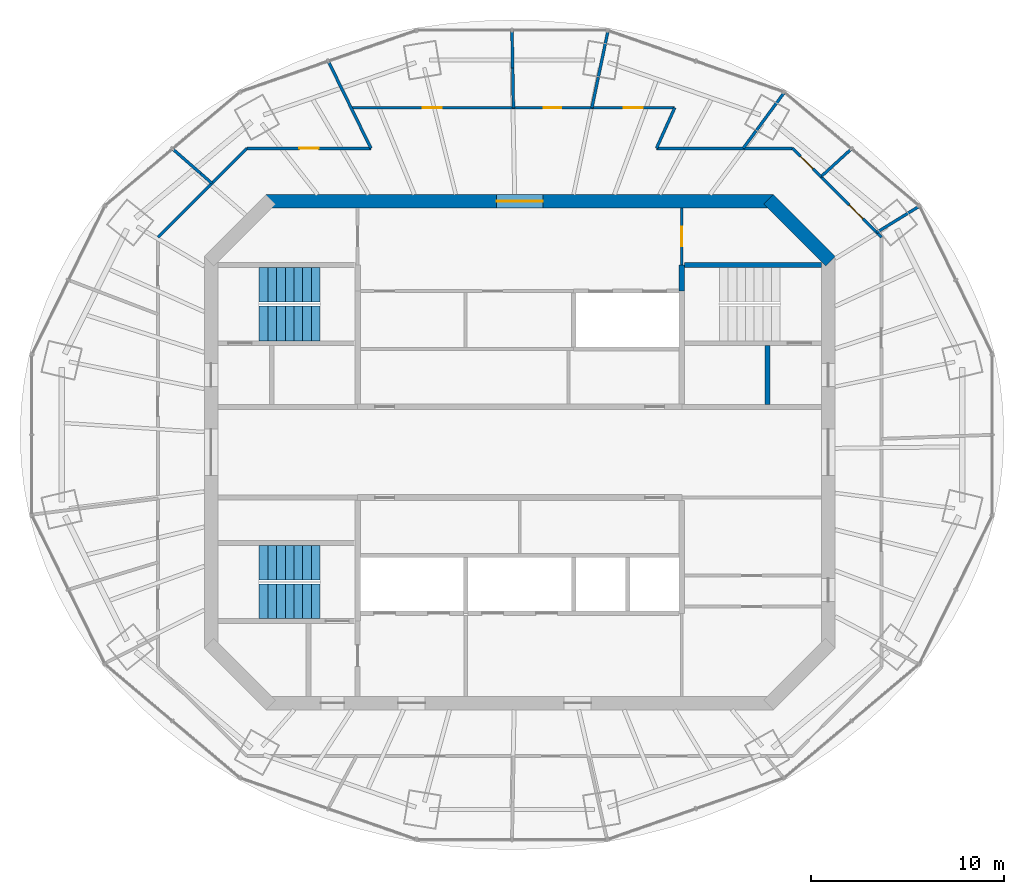
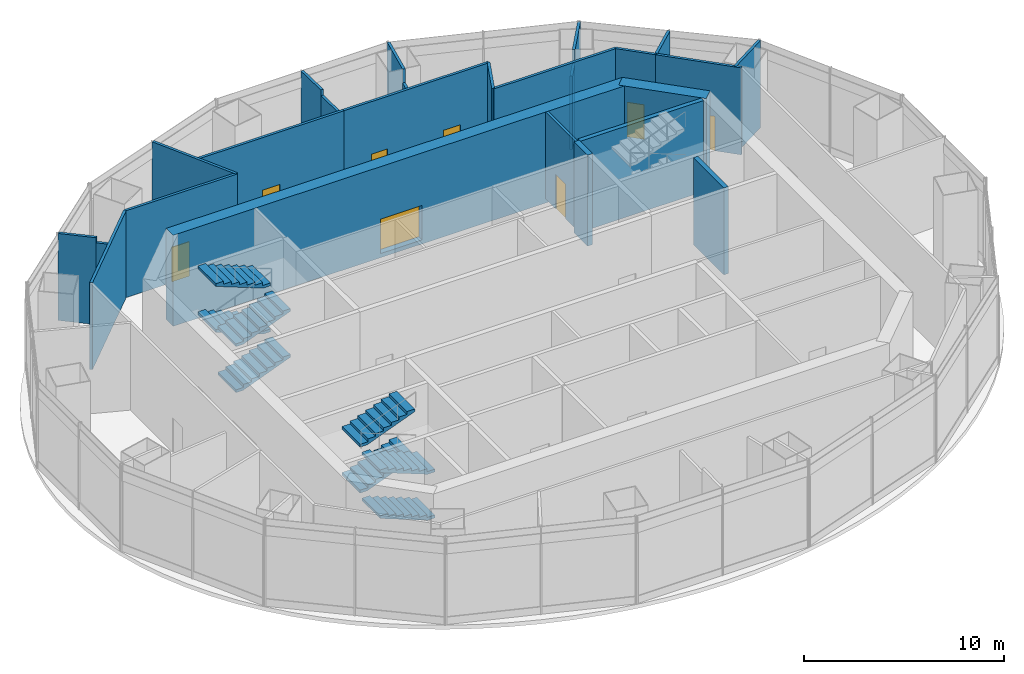
# One storey, part 11 of 13: 25 walls, 8 doors, 8 stair flights, 8 openings, 2 elements without a shape of their own.
"""IFC4 building model written with IfcOpenShell, lengths in metres."""

from ifc_helpers import new_model, si_unit, direction, frame, frame_2d, origin, place, context, subcontext, project, spatial, polyline, rectangle, outline, extrude, material, layer, layer_set, type_object, element, fill, aggregate, save


model = new_model("IFC4")

# Units and contexts
model_context = context("Model", 3, precision=1e-05, world=origin(), true_north=direction((0.0, 1.0)))
body_context = subcontext(model_context, "Body", "Model", "MODEL_VIEW")
ifc_project = project(units=[si_unit("LENGTHUNIT", "METRE"), si_unit("AREAUNIT", "SQUARE_METRE"), si_unit("VOLUMEUNIT", "CUBIC_METRE"), si_unit("PLANEANGLEUNIT", "RADIAN"), si_unit("MASSUNIT", "GRAM", prefix="KILO")], contexts=[model_context])

# Site, building, storey
site_placement = place(None, origin())
site = spatial("IfcSite", under=ifc_project, at=site_placement, CompositionType="ELEMENT")
building_placement = place(site_placement, origin())
building = spatial("IfcBuilding", under=site, at=building_placement, Name="Marenthal Gate Tower", CompositionType="ELEMENT")
storey_placement = place(building_placement, frame((0.0, 0.0, 401.949951171875)))
storey = spatial("IfcBuildingStorey", under=building, at=storey_placement, Name="L91", CompositionType="ELEMENT", Elevation=401.949951171875)

# Wall
ifc_material_1 = material(Name="Concrete 60 MPa", Category="concrete")
ifc_layer_1 = layer(ifc_material_1, 0.699951171875)
ifc_layer_set_1 = layer_set([ifc_layer_1], Name="Core shear wall 700")
wall_type_1 = type_object("IfcWallType", Name="Core shear wall 700", PredefinedType="SHEAR", material=ifc_layer_set_1)
wall_1_placement = place(storey_placement, frame((16.1025390625, 9.8974609375, -0.25), z_axis=(0.0, 0.0, 1.0), x_axis=(-0.707106781187, 0.707106781187, 0.0)))
element("IfcWall", 1, at=wall_1_placement, inside=storey, type_object=wall_type_1, Name="Core wall 03", PredefinedType="SHEAR", context=body_context, shape_type="SweptSolid", body=[
    extrude(rectangle(XDim=4.53271484375, YDim=0.699951171875, at=frame_2d((2.266357421875, 0.0))), origin(), (0.0, 0.0, 1.0), 5.550048828125),
])

# Wall, opening, door
wall_2_placement = place(storey_placement, frame((13.14501953125, 13.0, -0.25), z_axis=(0.0, 0.0, 1.0), x_axis=(-1.0, 0.0, 0.0)))
wall_2 = element("IfcWall", 2, at=wall_2_placement, inside=storey, type_object=wall_type_1, Name="Core wall 04", PredefinedType="SHEAR", context=body_context, shape_type="SweptSolid", body=[
    extrude(rectangle(XDim=26.2900390625, YDim=0.699951171875, at=frame_2d((13.14501953125, 0.0))), origin(), (0.0, 0.0, 1.0), 5.550048828125),
])
opening_1_placement = place(wall_2_placement, frame((11.945068359375, 0.0, 0.25)))
opening_1 = element("IfcOpeningElement", 3, at=opening_1_placement, cuts=wall_2, Name="Opening D003.03", PredefinedType="OPENING", context=body_context, shape_type="SweptSolid", body=[
    extrude(rectangle(XDim=2.39990234375, YDim=2.10009765625, at=frame_2d((1.199951171875, 1.050048828125))), frame((0.0, 0.35986328125, 0.0), z_axis=(0.0, -1.0, 0.0), x_axis=(1.0, 0.0, 0.0)), (0.0, 0.0, 1.0), 0.719970703125),
])
ifc_material_2 = material(Name="Steel fire door", Category="steel")
door_type_1 = type_object("IfcDoorType", Name="Double fire door FD 45 2400 x 2100", OperationType="DOUBLE_DOOR_SINGLE_SWING", PredefinedType="DOOR", material=ifc_material_2)
door_1_placement = place(opening_1_placement, origin())
door_1 = element("IfcDoor", 4, at=door_1_placement, inside=storey, type_object=door_type_1, Name="Door D003.03", OperationType="DOUBLE_DOOR_SINGLE_SWING", OverallHeight=2.10009765625, OverallWidth=2.39990234375, PredefinedType="DOOR", context=body_context, shape_type="SweptSolid", body=[
    extrude(rectangle(XDim=2.39990234375, YDim=2.10009765625, at=frame_2d((1.199951171875, 1.050048828125))), frame((0.0, 0.02490234375, 0.0), z_axis=(0.0, -1.0, 0.0), x_axis=(1.0, 0.0, 0.0)), (0.0, 0.0, 1.0), 0.050048828125),
])
fill(opening_1, door_1)

ifc_material_3 = material(Name="Gypsum board on steel studs", Category="steel")
ifc_layer_2 = layer(ifc_material_3, 0.14990234375)
ifc_layer_set_2 = layer_set([ifc_layer_2], Name="Partition 150")
wall_type_2 = type_object("IfcWallType", Name="Partition 150", PredefinedType="PARTITIONING", material=ifc_layer_set_2)
wall_3_placement = place(storey_placement, frame((8.39990234375, 9.699951171875, 0.0), z_axis=(0.0, 0.0, 1.0), x_axis=(0.0, 1.0, 0.0)))
wall_3 = element("IfcWall", 5, at=wall_3_placement, inside=storey, type_object=wall_type_2, Name="Partition wall 49", PredefinedType="PARTITIONING", context=body_context, shape_type="SweptSolid", body=[
    extrude(rectangle(XDim=2.949951171875, YDim=0.14990234375, at=frame_2d((1.47509765625, 0.0))), origin(), (0.0, 0.0, 1.0), 5.300048828125),
])
opening_2_placement = place(wall_3_placement, frame((0.97509765625, 0.0, 0.0)))
opening_2 = element("IfcOpeningElement", 6, at=opening_2_placement, cuts=wall_3, Name="Opening D005.08", PredefinedType="OPENING", context=body_context, shape_type="SweptSolid", body=[
    extrude(rectangle(XDim=1.0, YDim=2.10009765625, at=frame_2d((0.5, 1.050048828125))), frame((0.0, 0.0849609375, 0.0), z_axis=(0.0, -1.0, 0.0), x_axis=(1.0, 0.0, 0.0)), (0.0, 0.0, 1.0), 0.169921875),
])
ifc_material_4 = material(Name="Steel fire door", Category="steel")
door_type_2 = type_object("IfcDoorType", Name="Fire door FD 45 1000 x 2100", OperationType="NOTDEFINED", PredefinedType="DOOR", material=ifc_material_4)
door_2_placement = place(opening_2_placement, frame((1.0, 0.0, 0.0), z_axis=(0.0, 0.0, 1.0), x_axis=(-1.0, 0.0, 0.0)))
door_2 = element("IfcDoor", 7, at=door_2_placement, inside=storey, type_object=door_type_2, Name="Door D005.08", OperationType="SINGLE_SWING_LEFT", OverallHeight=2.10009765625, OverallWidth=1.0, PredefinedType="DOOR", context=body_context, shape_type="SweptSolid", body=[
    extrude(rectangle(XDim=1.0, YDim=2.10009765625, at=frame_2d((0.5, 1.050048828125))), frame((0.0, 0.02490234375, 0.0), z_axis=(0.0, -1.0, 0.0), x_axis=(1.0, 0.0, 0.0)), (0.0, 0.0, 1.0), 0.050048828125),
])
fill(opening_2, door_2)

wall_4_placement = place(storey_placement, frame((-14.13916015625, 15.75, 0.0), z_axis=(0.0, 0.0, 1.0), x_axis=(1.0, 0.0, 0.0)))
wall_4 = element("IfcWall", 8, at=wall_4_placement, inside=storey, type_object=wall_type_2, Name="Partition wall 52", PredefinedType="PARTITIONING", context=body_context, shape_type="SweptSolid", body=[
    extrude(rectangle(XDim=6.432861328125, YDim=0.14990234375, at=frame_2d((3.21630859375, 0.0))), origin(), (0.0, 0.0, 1.0), 5.300048828125),
])
opening_3_placement = place(wall_4_placement, frame((2.7138671875, 0.0, 0.0)))
opening_3 = element("IfcOpeningElement", 9, at=opening_3_placement, cuts=wall_4, Name="Opening D012.10", PredefinedType="OPENING", context=body_context, shape_type="SweptSolid", body=[
    extrude(rectangle(XDim=1.0, YDim=2.10009765625, at=frame_2d((0.5, 1.050048828125))), frame((0.0, 0.0849609375, 0.0), z_axis=(0.0, -1.0, 0.0), x_axis=(1.0, 0.0, 0.0)), (0.0, 0.0, 1.0), 0.169921875),
])
ifc_material_5 = material(Name="Timber door", Category="wood")
door_type_3 = type_object("IfcDoorType", Name="Door 1000 x 2100", OperationType="NOTDEFINED", PredefinedType="DOOR", material=ifc_material_5)
door_3_placement = place(opening_3_placement, origin())
door_3 = element("IfcDoor", 10, at=door_3_placement, inside=storey, type_object=door_type_3, Name="Door D012.10", OperationType="SINGLE_SWING_RIGHT", OverallHeight=2.10009765625, OverallWidth=1.0, PredefinedType="DOOR", context=body_context, shape_type="SweptSolid", body=[
    extrude(rectangle(XDim=1.0, YDim=2.10009765625, at=frame_2d((0.5, 1.050048828125))), frame((0.0, 0.02490234375, 0.0), z_axis=(0.0, -1.0, 0.0), x_axis=(1.0, 0.0, 0.0)), (0.0, 0.0, 1.0), 0.050048828125),
])
fill(opening_3, door_3)

wall_5_placement = place(storey_placement, frame((-8.739501953125, 17.85009765625, 0.0), z_axis=(0.0, 0.0, 1.0), x_axis=(1.0, 0.0, 0.0)))
wall_5 = element("IfcWall", 11, at=wall_5_placement, inside=storey, type_object=wall_type_2, Name="Partition wall 53", PredefinedType="PARTITIONING", context=body_context, shape_type="SweptSolid", body=[
    extrude(rectangle(XDim=8.41796875, YDim=0.14990234375, at=frame_2d((4.208984375, 0.0))), origin(), (0.0, 0.0, 1.0), 5.300048828125),
])
opening_4_placement = place(wall_5_placement, frame((3.70654296875, 0.0, 0.0)))
opening_4 = element("IfcOpeningElement", 12, at=opening_4_placement, cuts=wall_5, Name="Opening D012.09", PredefinedType="OPENING", context=body_context, shape_type="SweptSolid", body=[
    extrude(rectangle(XDim=1.0, YDim=2.10009765625, at=frame_2d((0.5, 1.050048828125))), frame((0.0, 0.0849609375, 0.0), z_axis=(0.0, -1.0, 0.0), x_axis=(1.0, 0.0, 0.0)), (0.0, 0.0, 1.0), 0.169921875),
])
door_4_placement = place(opening_4_placement, origin())
door_4 = element("IfcDoor", 13, at=door_4_placement, inside=storey, type_object=door_type_3, Name="Door D012.09", OperationType="SINGLE_SWING_RIGHT", OverallHeight=2.10009765625, OverallWidth=1.0, PredefinedType="DOOR", context=body_context, shape_type="SweptSolid", body=[
    extrude(rectangle(XDim=1.0, YDim=2.10009765625, at=frame_2d((0.5, 1.050048828125))), frame((0.0, 0.02490234375, 0.0), z_axis=(0.0, -1.0, 0.0), x_axis=(1.0, 0.0, 0.0)), (0.0, 0.0, 1.0), 0.050048828125),
])
fill(opening_4, door_4)

# Walls
wall_6_placement = place(storey_placement, frame((18.501220703125, 11.387939453125, 0.0), z_axis=(0.0, 0.0, 1.0), x_axis=(0.851577096896, 0.524229384946, 0.0)))
element("IfcWall", 14, at=wall_6_placement, inside=storey, type_object=wall_type_2, Name="Partition wall 58", PredefinedType="PARTITIONING", context=body_context, shape_type="SweptSolid", body=[
    extrude(rectangle(XDim=2.58056640625, YDim=0.14990234375, at=frame_2d((1.290283203125, 0.0))), origin(), (0.0, 0.0, 1.0), 5.300048828125),
])
wall_7_placement = place(storey_placement, frame((-18.75, 11.13916015625, 0.0), z_axis=(0.0, 0.0, 1.0), x_axis=(0.707106781187, 0.707106781187, 0.0)))
element("IfcWall", 15, at=wall_7_placement, inside=storey, type_object=wall_type_2, Name="Partition wall 60", PredefinedType="PARTITIONING", context=body_context, shape_type="SweptSolid", body=[
    extrude(rectangle(XDim=6.520751953125, YDim=0.14990234375, at=frame_2d((3.26025390625, 0.0))), origin(), (0.0, 0.0, 1.0), 5.300048828125),
])
wall_8_placement = place(storey_placement, frame((-7.71142578125, 15.75, 0.0), z_axis=(0.0, 0.0, 1.0), x_axis=(-0.439721633325, 0.89813411314, 0.0)))
element("IfcWall", 16, at=wall_8_placement, inside=storey, type_object=wall_type_2, Name="Partition wall 66", PredefinedType="PARTITIONING", context=body_context, shape_type="SweptSolid", body=[
    extrude(rectangle(XDim=5.015869140625, YDim=0.14990234375, at=frame_2d((2.5078125, 0.0))), origin(), (0.0, 0.0, 1.0), 5.300048828125),
])

# Wall, opening, door
wall_9_placement = place(storey_placement, frame((18.75, 11.13916015625, 0.0), z_axis=(0.0, 0.0, 1.0), x_axis=(-0.707106781187, 0.707106781187, 0.0)))
wall_9 = element("IfcWall", 17, at=wall_9_placement, inside=storey, type_object=wall_type_2, Name="Partition wall 68", PredefinedType="PARTITIONING", context=body_context, shape_type="SweptSolid", body=[
    extrude(rectangle(XDim=4.4404296875, YDim=0.14990234375, at=frame_2d((2.22021484375, 0.0))), origin(), (0.0, 0.0, 1.0), 5.300048828125),
])
opening_5_placement = place(wall_9_placement, frame((1.358642578125, 0.0, 0.0)))
opening_5 = element("IfcOpeningElement", 18, at=opening_5_placement, cuts=wall_9, Name="Opening D012.07", PredefinedType="OPENING", context=body_context, shape_type="SweptSolid", body=[
    extrude(rectangle(XDim=1.0, YDim=2.10009765625, at=frame_2d((0.5, 1.050048828125))), frame((0.0, 0.0849609375, 0.0), z_axis=(0.0, -1.0, 0.0), x_axis=(1.0, 0.0, 0.0)), (0.0, 0.0, 1.0), 0.169921875),
])
door_5_placement = place(opening_5_placement, frame((1.0, 0.0, 0.0), z_axis=(0.0, 0.0, 1.0), x_axis=(-1.0, 0.0, 0.0)))
door_5 = element("IfcDoor", 19, at=door_5_placement, inside=storey, type_object=door_type_3, Name="Door D012.07", OperationType="SINGLE_SWING_LEFT", OverallHeight=2.10009765625, OverallWidth=1.0, PredefinedType="DOOR", context=body_context, shape_type="SweptSolid", body=[
    extrude(rectangle(XDim=1.0, YDim=2.10009765625, at=frame_2d((0.5, 1.050048828125))), frame((0.0, 0.02490234375, 0.0), z_axis=(0.0, -1.0, 0.0), x_axis=(1.0, 0.0, 0.0)), (0.0, 0.0, 1.0), 0.050048828125),
])
fill(opening_5, door_5)

# Walls
wall_10_placement = place(storey_placement, frame((-15.9521484375, 13.93701171875, 0.0), z_axis=(0.0, 0.0, 1.0), x_axis=(-0.753047703781, 0.657965923001, 0.0)))
element("IfcWall", 20, at=wall_10_placement, inside=storey, type_object=wall_type_2, Name="Partition wall 70", PredefinedType="PARTITIONING", context=body_context, shape_type="SweptSolid", body=[
    extrude(rectangle(XDim=0.770263671875, YDim=0.14990234375, at=frame_2d((0.38525390625, 0.0))), origin(), (0.0, 0.0, 1.0), 4.989990234375),
])
wall_11_placement = place(storey_placement, frame((-16.5322265625, 14.44384765625, 0.0), z_axis=(0.0, 0.0, 1.0), x_axis=(-0.75310908598, 0.657895663928, 0.0)))
element("IfcWall", 21, at=wall_11_placement, inside=storey, type_object=wall_type_2, Name="Partition wall 85", PredefinedType="PARTITIONING", context=body_context, shape_type="SweptSolid", body=[
    extrude(rectangle(XDim=1.930908203125, YDim=0.14990234375, at=frame_2d((0.96533203125, 0.0))), origin(), (0.0, 0.0, 1.0), 5.300048828125),
])
ifc_material_6 = material(Name="Concrete 40 MPa", Category="concrete")
ifc_layer_3 = layer(ifc_material_6, 0.25)
ifc_layer_set_3 = layer_set([ifc_layer_3], Name="Stair enclosure wall 250")
wall_type_3 = type_object("IfcWallType", Name="Stair enclosure wall 250", PredefinedType="STANDARD", material=ifc_layer_set_3)
wall_12_placement = place(storey_placement, frame((12.85009765625, 2.47509765625, 0.0), z_axis=(0.0, 0.0, 1.0), x_axis=(0.0, 1.0, 0.0)))
element("IfcWall", 22, at=wall_12_placement, inside=storey, type_object=wall_type_3, Name="Stair wall 50", PredefinedType="STANDARD", context=body_context, shape_type="SweptSolid", body=[
    extrude(rectangle(XDim=3.0498046875, YDim=0.25, at=frame_2d((1.52490234375, 0.0))), origin(), (0.0, 0.0, 1.0), 5.300048828125),
])
ifc_material_7 = material(Name="Concrete 50 MPa", Category="concrete")
ifc_layer_4 = layer(ifc_material_7, 0.25)
ifc_layer_set_4 = layer_set([ifc_layer_4], Name="Stair shear wall 250")
wall_type_4 = type_object("IfcWallType", Name="Stair shear wall 250", PredefinedType="SHEAR", material=ifc_layer_set_4)
wall_13_placement = place(storey_placement, frame((8.550048828125, 9.699951171875, -0.25), z_axis=(0.0, 0.0, 1.0), x_axis=(1.0, 0.0, 0.0)))
element("IfcWall", 23, at=wall_13_placement, inside=storey, type_object=wall_type_4, Name="Stair wall 29", PredefinedType="SHEAR", context=body_context, shape_type="SweptSolid", body=[
    extrude(rectangle(XDim=7.099853515625, YDim=0.25, at=frame_2d((3.5498046875, 0.0))), origin(), (0.0, 0.0, 1.0), 5.550048828125),
])
ifc_material_8 = material(Name="Concrete 50 MPa", Category="concrete")
ifc_layer_5 = layer(ifc_material_8, 0.300048828125)
ifc_layer_set_5 = layer_set([ifc_layer_5], Name="Stair shear wall 300")
wall_type_5 = type_object("IfcWallType", Name="Stair shear wall 300", PredefinedType="SHEAR", material=ifc_layer_set_5)
wall_14_placement = place(storey_placement, frame((8.39990234375, 8.35009765625, -0.25), z_axis=(0.0, 0.0, 1.0), x_axis=(0.0, 1.0, 0.0)))
element("IfcWall", 24, at=wall_14_placement, inside=storey, type_object=wall_type_5, Name="Stair wall 48", PredefinedType="SHEAR", context=body_context, shape_type="SweptSolid", body=[
    extrude(rectangle(XDim=1.349853515625, YDim=0.300048828125, at=frame_2d((0.6748046875, 0.0))), origin(), (0.0, 0.0, 1.0), 5.550048828125),
])
ifc_material_9 = material(Name="Gypsum board on steel studs", Category="steel")
ifc_layer_6 = layer(ifc_material_9, 0.14990234375)
ifc_layer_set_6 = layer_set([ifc_layer_6], Name="Wet room partition 150")
wall_type_6 = type_object("IfcWallType", Name="Wet room partition 150", PredefinedType="PARTITIONING", material=ifc_layer_set_6)
wall_15_placement = place(storey_placement, frame((7.0849609375, 15.75, 0.0), z_axis=(0.0, 0.0, 1.0), x_axis=(1.0, 0.0, 0.0)))
element("IfcWall", 25, at=wall_15_placement, inside=storey, type_object=wall_type_6, Name="Wet wall 73", PredefinedType="PARTITIONING", context=body_context, shape_type="SweptSolid", body=[
    extrude(rectangle(XDim=7.05419921875, YDim=0.14990234375, at=frame_2d((3.527099609375, 0.0))), origin(), (0.0, 0.0, 1.0), 5.300048828125),
])

# Wall, openings, doors
wall_16_placement = place(storey_placement, frame((-0.33154296875, 17.85009765625, 0.0), z_axis=(0.0, 0.0, 1.0), x_axis=(1.0, 0.0, 0.0)))
wall_16 = element("IfcWall", 26, at=wall_16_placement, inside=storey, type_object=wall_type_6, Name="Wet wall 74", PredefinedType="PARTITIONING", context=body_context, shape_type="SweptSolid", body=[
    extrude(rectangle(XDim=8.36669921875, YDim=0.14990234375, at=frame_2d((4.183349609375, 0.0))), origin(), (0.0, 0.0, 1.0), 5.300048828125),
])
opening_6_placement = place(wall_16_placement, frame((5.718994140625, 0.0, 0.0)))
opening_6 = element("IfcOpeningElement", 27, at=opening_6_placement, cuts=wall_16, Name="Opening D012.08", PredefinedType="OPENING", context=body_context, shape_type="SweptSolid", body=[
    extrude(rectangle(XDim=1.0, YDim=2.10009765625, at=frame_2d((0.5, 1.050048828125))), frame((0.0, 0.0849609375, 0.0), z_axis=(0.0, -1.0, 0.0), x_axis=(1.0, 0.0, 0.0)), (0.0, 0.0, 1.0), 0.169921875),
])
opening_7_placement = place(wall_16_placement, frame((1.588134765625, 0.0, 0.0)))
opening_7 = element("IfcOpeningElement", 28, at=opening_7_placement, cuts=wall_16, Name="Opening D011.03", PredefinedType="OPENING", context=body_context, shape_type="SweptSolid", body=[
    extrude(rectangle(XDim=0.89990234375, YDim=2.10009765625, at=frame_2d((0.449951171875, 1.050048828125))), frame((0.0, 0.0849609375, 0.0), z_axis=(0.0, -1.0, 0.0), x_axis=(1.0, 0.0, 0.0)), (0.0, 0.0, 1.0), 0.169921875),
])
door_6_placement = place(opening_6_placement, origin())
door_6 = element("IfcDoor", 29, at=door_6_placement, inside=storey, type_object=door_type_3, Name="Door D012.08", OperationType="SINGLE_SWING_RIGHT", OverallHeight=2.10009765625, OverallWidth=1.0, PredefinedType="DOOR", context=body_context, shape_type="SweptSolid", body=[
    extrude(rectangle(XDim=1.0, YDim=2.10009765625, at=frame_2d((0.5, 1.050048828125))), frame((0.0, 0.02490234375, 0.0), z_axis=(0.0, -1.0, 0.0), x_axis=(1.0, 0.0, 0.0)), (0.0, 0.0, 1.0), 0.050048828125),
])
fill(opening_6, door_6)
ifc_material_10 = material(Name="Timber door", Category="wood")
door_type_4 = type_object("IfcDoorType", Name="Door 900 x 2100", OperationType="NOTDEFINED", PredefinedType="DOOR", material=ifc_material_10)
door_7_placement = place(opening_7_placement, origin())
door_7 = element("IfcDoor", 30, at=door_7_placement, inside=storey, type_object=door_type_4, Name="Door D011.03", OperationType="SINGLE_SWING_RIGHT", OverallHeight=2.10009765625, OverallWidth=0.89990234375, PredefinedType="DOOR", context=body_context, shape_type="SweptSolid", body=[
    extrude(rectangle(XDim=0.89990234375, YDim=2.10009765625, at=frame_2d((0.449951171875, 1.050048828125))), frame((0.0, 0.02490234375, 0.0), z_axis=(0.0, -1.0, 0.0), x_axis=(1.0, 0.0, 0.0)), (0.0, 0.0, 1.0), 0.050048828125),
])
fill(opening_7, door_7)

# Walls
wall_17_placement = place(storey_placement, frame((15.613525390625, 14.275634765625, 0.0), z_axis=(0.0, 0.0, 1.0), x_axis=(0.738014143535, 0.674785242831, 0.0)))
element("IfcWall", 31, at=wall_17_placement, inside=storey, type_object=wall_type_6, Name="Wet wall 75", PredefinedType="PARTITIONING", context=body_context, shape_type="SweptSolid", body=[
    extrude(rectangle(XDim=2.13134765625, YDim=0.14990234375, at=frame_2d((1.065673828125, 0.0))), origin(), (0.0, 0.0, 1.0), 5.300048828125),
])
wall_18_placement = place(storey_placement, frame((11.584716796875, 15.75, 0.0), z_axis=(0.0, 0.0, 1.0), x_axis=(0.592547779952, 0.805535305542, 0.0)))
element("IfcWall", 32, at=wall_18_placement, inside=storey, type_object=wall_type_6, Name="Wet wall 76", PredefinedType="PARTITIONING", context=body_context, shape_type="SweptSolid", body=[
    extrude(rectangle(XDim=1.125732421875, YDim=0.14990234375, at=frame_2d((0.56298828125, 0.0))), origin(), (0.0, 0.0, 1.0), 4.458984375),
])
wall_19_placement = place(storey_placement, frame((12.251708984375, 16.65673828125, 0.0), z_axis=(0.0, 0.0, 1.0), x_axis=(0.592505845227, 0.805566150836, 0.0)))
element("IfcWall", 33, at=wall_19_placement, inside=storey, type_object=wall_type_6, Name="Wet wall 86", PredefinedType="PARTITIONING", context=body_context, shape_type="SweptSolid", body=[
    extrude(rectangle(XDim=2.463623046875, YDim=0.14990234375, at=frame_2d((1.23193359375, 0.0))), origin(), (0.0, 0.0, 1.0), 5.300048828125),
])
wall_20_placement = place(storey_placement, frame((7.08984375, 15.75, 0.0), z_axis=(0.0, 0.0, 1.0), x_axis=(0.41046164667, 0.911877862772, 0.0)))
element("IfcWall", 34, at=wall_20_placement, inside=storey, type_object=wall_type_6, Name="Wet wall 77", PredefinedType="PARTITIONING", context=body_context, shape_type="SweptSolid", body=[
    extrude(rectangle(XDim=2.302978515625, YDim=0.14990234375, at=frame_2d((1.1513671875, 0.0))), origin(), (0.0, 0.0, 1.0), 5.300048828125),
])
wall_21_placement = place(storey_placement, frame((3.73974609375, 17.85009765625, 0.0), z_axis=(0.0, 0.0, 1.0), x_axis=(0.205037817334, 0.978754051569, 0.0)))
element("IfcWall", 35, at=wall_21_placement, inside=storey, type_object=wall_type_6, Name="Wet wall 78", PredefinedType="PARTITIONING", context=body_context, shape_type="SweptSolid", body=[
    extrude(rectangle(XDim=1.619384765625, YDim=0.14990234375, at=frame_2d((0.8095703125, 0.0))), origin(), (0.0, 0.0, 1.0), 4.458984375),
])
wall_22_placement = place(storey_placement, frame((4.07177734375, 19.43505859375, 0.0), z_axis=(0.0, 0.0, 1.0), x_axis=(0.205108906394, 0.978739156526, 0.0)))
element("IfcWall", 36, at=wall_22_placement, inside=storey, type_object=wall_type_6, Name="Wet wall 87", PredefinedType="PARTITIONING", context=body_context, shape_type="SweptSolid", body=[
    extrude(rectangle(XDim=2.456787109375, YDim=0.14990234375, at=frame_2d((1.228515625, 0.0))), origin(), (0.0, 0.0, 1.0), 5.300048828125),
])
wall_23_placement = place(storey_placement, frame((-0.326416015625, 17.85009765625, 0.0), z_axis=(0.0, 0.0, 1.0), x_axis=(-0.018277403929, 0.999832954301, 0.0)))
element("IfcWall", 37, at=wall_23_placement, inside=storey, type_object=wall_type_6, Name="Wet wall 79", PredefinedType="PARTITIONING", context=body_context, shape_type="SweptSolid", body=[
    extrude(rectangle(XDim=2.0703125, YDim=0.14990234375, at=frame_2d((1.03515625, 0.0))), origin(), (0.0, 0.0, 1.0), 4.947021484375),
])
wall_24_placement = place(storey_placement, frame((-0.3642578125, 19.920166015625, 0.0), z_axis=(0.0, 0.0, 1.0), x_axis=(-0.018349017615, 0.999831642604, 0.0)))
element("IfcWall", 38, at=wall_24_placement, inside=storey, type_object=wall_type_6, Name="Wet wall 88", PredefinedType="PARTITIONING", context=body_context, shape_type="SweptSolid", body=[
    extrude(rectangle(XDim=1.92919921875, YDim=0.14990234375, at=frame_2d((0.964599609375, 0.0))), origin(), (0.0, 0.0, 1.0), 5.300048828125),
])

# Wall, opening, door
wall_25_placement = place(storey_placement, frame((15.6171875, 14.27197265625, 0.0), z_axis=(0.0, 0.0, 1.0), x_axis=(-0.707106781187, 0.707106781187, 0.0)))
wall_25 = element("IfcWall", 39, at=wall_25_placement, inside=storey, type_object=wall_type_6, Name="Wet wall 80", PredefinedType="PARTITIONING", context=body_context, shape_type="SweptSolid", body=[
    extrude(rectangle(XDim=2.09033203125, YDim=0.14990234375, at=frame_2d((1.045166015625, 0.0))), origin(), (0.0, 0.0, 1.0), 5.300048828125),
])
opening_8_placement = place(wall_25_placement, frame((0.59765625, 0.0, 0.0)))
opening_8 = element("IfcOpeningElement", 40, at=opening_8_placement, cuts=wall_25, Name="Opening D011.02", PredefinedType="OPENING", context=body_context, shape_type="SweptSolid", body=[
    extrude(rectangle(XDim=0.89990234375, YDim=2.10009765625, at=frame_2d((0.449951171875, 1.050048828125))), frame((0.0, 0.0849609375, 0.0), z_axis=(0.0, -1.0, 0.0), x_axis=(1.0, 0.0, 0.0)), (0.0, 0.0, 1.0), 0.169921875),
])
door_8_placement = place(opening_8_placement, frame((0.89990234375, 0.0, 0.0), z_axis=(0.0, 0.0, 1.0), x_axis=(-1.0, 0.0, 0.0)))
door_8 = element("IfcDoor", 41, at=door_8_placement, inside=storey, type_object=door_type_4, Name="Door D011.02", OperationType="SINGLE_SWING_LEFT", OverallHeight=2.10009765625, OverallWidth=0.89990234375, PredefinedType="DOOR", context=body_context, shape_type="SweptSolid", body=[
    extrude(rectangle(XDim=0.89990234375, YDim=2.10009765625, at=frame_2d((0.449951171875, 1.050048828125))), frame((0.0, 0.02490234375, 0.0), z_axis=(0.0, -1.0, 0.0), x_axis=(1.0, 0.0, 0.0)), (0.0, 0.0, 1.0), 0.050048828125),
])
fill(opening_8, door_8)

# Stair, stair flights
ifc_material_11 = material(Name="Concrete 40 MPa", Category="concrete")
stair_type = type_object("IfcStairType", Name="Exit stair 1800", PredefinedType="HALF_TURN_STAIR", material=ifc_material_11)
stair_1_placement = place(storey_placement, origin())
stair_1 = element("IfcStair", 42, at=stair_1_placement, inside=storey, type_object=stair_type, Name="Stair ST1", PredefinedType="HALF_TURN_STAIR")
ifc_material_12 = material(Name="Concrete 40 MPa", Category="concrete")
stair_flight_type = type_object("IfcStairFlightType", Name="Stair flight 1800", PredefinedType="STRAIGHT", material=ifc_material_12)
stair_flight_1_placement = place(storey_placement, frame((-13.5, 6.675048828125, 0.0), z_axis=(0.0, 0.0, 1.0), x_axis=(1.0, 0.0, 0.0)))
stair_flight_1 = element("IfcStairFlight", 43, at=stair_flight_1_placement, type_object=stair_flight_type, Name="ST1 flight 1", NumberOfRisers=8, NumberOfTreads=7, PredefinedType="STRAIGHT", RiserHeight=0.175, TreadLength=0.45, context=body_context, shape_type="SweptSolid", body=[
    extrude(outline(polyline([(0.0, 0.0), (0.0, 0.175048828125), (0.449951171875, 0.175048828125), (0.449951171875, 0.35009765625), (0.89990234375, 0.35009765625), (0.89990234375, 0.52490234375), (1.35009765625, 0.52490234375), (1.35009765625, 0.699951171875), (1.800048828125, 0.699951171875), (1.800048828125, 0.875), (2.25, 0.875), (2.25, 1.050048828125), (2.699951171875, 1.050048828125), (2.699951171875, 1.22509765625), (3.14990234375, 1.22509765625), (3.14990234375, 1.39990234375), (3.14990234375, 1.064208984375), (0.41357421875, 0.0), (0.0, 0.0)])), frame((0.0, 0.89990234375, 0.0), z_axis=(0.0, -1.0, 0.0), x_axis=(1.0, 0.0, 0.0)), (0.0, 0.0, 1.0), 1.800048828125),
])
stair_flight_2_placement = place(storey_placement, frame((-10.35009765625, 8.675048828125, 1.400146484375), z_axis=(0.0, 0.0, 1.0), x_axis=(-1.0, 0.0, 0.0)))
stair_flight_2 = element("IfcStairFlight", 44, at=stair_flight_2_placement, type_object=stair_flight_type, Name="ST1 flight 2", NumberOfRisers=8, NumberOfTreads=7, PredefinedType="STRAIGHT", RiserHeight=0.175, TreadLength=0.45, context=body_context, shape_type="SweptSolid", body=[
    extrude(outline(polyline([(0.0, 0.0), (0.0, 0.175048828125), (0.449951171875, 0.175048828125), (0.449951171875, 0.35009765625), (0.89990234375, 0.35009765625), (0.89990234375, 0.52490234375), (1.35009765625, 0.52490234375), (1.35009765625, 0.699951171875), (1.800048828125, 0.699951171875), (1.800048828125, 0.875), (2.25, 0.875), (2.25, 1.050048828125), (2.699951171875, 1.050048828125), (2.699951171875, 1.22509765625), (3.14990234375, 1.22509765625), (3.14990234375, 1.39990234375), (3.14990234375, 1.064208984375), (0.41357421875, 0.0), (0.0, 0.0)])), frame((0.0, 0.89990234375, 0.0), z_axis=(0.0, -1.0, 0.0), x_axis=(1.0, 0.0, 0.0)), (0.0, 0.0, 1.0), 1.800048828125),
])
stair_flight_3_placement = place(storey_placement, frame((-13.5, 6.675048828125, 2.800048828125), z_axis=(0.0, 0.0, 1.0), x_axis=(1.0, 0.0, 0.0)))
stair_flight_3 = element("IfcStairFlight", 45, at=stair_flight_3_placement, type_object=stair_flight_type, Name="ST1 flight 3", NumberOfRisers=8, NumberOfTreads=7, PredefinedType="STRAIGHT", RiserHeight=0.175, TreadLength=0.45, context=body_context, shape_type="SweptSolid", body=[
    extrude(outline(polyline([(0.0, 0.0), (0.0, 0.175048828125), (0.449951171875, 0.175048828125), (0.449951171875, 0.35009765625), (0.89990234375, 0.35009765625), (0.89990234375, 0.52490234375), (1.35009765625, 0.52490234375), (1.35009765625, 0.699951171875), (1.800048828125, 0.699951171875), (1.800048828125, 0.875), (2.25, 0.875), (2.25, 1.050048828125), (2.699951171875, 1.050048828125), (2.699951171875, 1.22509765625), (3.14990234375, 1.22509765625), (3.14990234375, 1.39990234375), (3.14990234375, 1.064208984375), (0.41357421875, 0.0), (0.0, 0.0)])), frame((0.0, 0.89990234375, 0.0), z_axis=(0.0, -1.0, 0.0), x_axis=(1.0, 0.0, 0.0)), (0.0, 0.0, 1.0), 1.800048828125),
])
stair_flight_4_placement = place(storey_placement, frame((-10.35009765625, 8.675048828125, 4.199951171875), z_axis=(0.0, 0.0, 1.0), x_axis=(-1.0, 0.0, 0.0)))
stair_flight_4 = element("IfcStairFlight", 46, at=stair_flight_4_placement, type_object=stair_flight_type, Name="ST1 flight 4", NumberOfRisers=8, NumberOfTreads=7, PredefinedType="STRAIGHT", RiserHeight=0.175, TreadLength=0.45, context=body_context, shape_type="SweptSolid", body=[
    extrude(outline(polyline([(0.0, 0.0), (0.0, 0.175048828125), (0.449951171875, 0.175048828125), (0.449951171875, 0.35009765625), (0.89990234375, 0.35009765625), (0.89990234375, 0.52490234375), (1.35009765625, 0.52490234375), (1.35009765625, 0.699951171875), (1.800048828125, 0.699951171875), (1.800048828125, 0.875), (2.25, 0.875), (2.25, 1.050048828125), (2.699951171875, 1.050048828125), (2.699951171875, 1.22509765625), (3.14990234375, 1.22509765625), (3.14990234375, 1.39990234375), (3.14990234375, 1.064208984375), (0.41357421875, 0.0), (0.0, 0.0)])), frame((0.0, 0.89990234375, 0.0), z_axis=(0.0, -1.0, 0.0), x_axis=(1.0, 0.0, 0.0)), (0.0, 0.0, 1.0), 1.800048828125),
])
aggregate(stair_1, [stair_flight_1, stair_flight_2, stair_flight_3, stair_flight_4])

stair_2_placement = place(storey_placement, origin())
stair_2 = element("IfcStair", 47, at=stair_2_placement, inside=storey, type_object=stair_type, Name="Stair ST2", PredefinedType="HALF_TURN_STAIR")
stair_flight_5_placement = place(storey_placement, frame((-10.35009765625, -7.72509765625, 0.0), z_axis=(0.0, 0.0, 1.0), x_axis=(-1.0, 0.0, 0.0)))
stair_flight_5 = element("IfcStairFlight", 48, at=stair_flight_5_placement, type_object=stair_flight_type, Name="ST2 flight 1", NumberOfRisers=8, NumberOfTreads=7, PredefinedType="STRAIGHT", RiserHeight=0.175, TreadLength=0.45, context=body_context, shape_type="SweptSolid", body=[
    extrude(outline(polyline([(0.0, 0.0), (0.0, 0.175048828125), (0.449951171875, 0.175048828125), (0.449951171875, 0.35009765625), (0.89990234375, 0.35009765625), (0.89990234375, 0.52490234375), (1.35009765625, 0.52490234375), (1.35009765625, 0.699951171875), (1.800048828125, 0.699951171875), (1.800048828125, 0.875), (2.25, 0.875), (2.25, 1.050048828125), (2.699951171875, 1.050048828125), (2.699951171875, 1.22509765625), (3.14990234375, 1.22509765625), (3.14990234375, 1.39990234375), (3.14990234375, 1.064208984375), (0.41357421875, 0.0), (0.0, 0.0)])), frame((0.0, 0.89990234375, 0.0), z_axis=(0.0, -1.0, 0.0), x_axis=(1.0, 0.0, 0.0)), (0.0, 0.0, 1.0), 1.800048828125),
])
stair_flight_6_placement = place(storey_placement, frame((-13.5, -5.72509765625, 1.400146484375), z_axis=(0.0, 0.0, 1.0), x_axis=(1.0, 0.0, 0.0)))
stair_flight_6 = element("IfcStairFlight", 49, at=stair_flight_6_placement, type_object=stair_flight_type, Name="ST2 flight 2", NumberOfRisers=8, NumberOfTreads=7, PredefinedType="STRAIGHT", RiserHeight=0.175, TreadLength=0.45, context=body_context, shape_type="SweptSolid", body=[
    extrude(outline(polyline([(0.0, 0.0), (0.0, 0.175048828125), (0.449951171875, 0.175048828125), (0.449951171875, 0.35009765625), (0.89990234375, 0.35009765625), (0.89990234375, 0.52490234375), (1.35009765625, 0.52490234375), (1.35009765625, 0.699951171875), (1.800048828125, 0.699951171875), (1.800048828125, 0.875), (2.25, 0.875), (2.25, 1.050048828125), (2.699951171875, 1.050048828125), (2.699951171875, 1.22509765625), (3.14990234375, 1.22509765625), (3.14990234375, 1.39990234375), (3.14990234375, 1.064208984375), (0.41357421875, 0.0), (0.0, 0.0)])), frame((0.0, 0.89990234375, 0.0), z_axis=(0.0, -1.0, 0.0), x_axis=(1.0, 0.0, 0.0)), (0.0, 0.0, 1.0), 1.800048828125),
])
stair_flight_7_placement = place(storey_placement, frame((-10.35009765625, -7.72509765625, 2.800048828125), z_axis=(0.0, 0.0, 1.0), x_axis=(-1.0, 0.0, 0.0)))
stair_flight_7 = element("IfcStairFlight", 50, at=stair_flight_7_placement, type_object=stair_flight_type, Name="ST2 flight 3", NumberOfRisers=8, NumberOfTreads=7, PredefinedType="STRAIGHT", RiserHeight=0.175, TreadLength=0.45, context=body_context, shape_type="SweptSolid", body=[
    extrude(outline(polyline([(0.0, 0.0), (0.0, 0.175048828125), (0.449951171875, 0.175048828125), (0.449951171875, 0.35009765625), (0.89990234375, 0.35009765625), (0.89990234375, 0.52490234375), (1.35009765625, 0.52490234375), (1.35009765625, 0.699951171875), (1.800048828125, 0.699951171875), (1.800048828125, 0.875), (2.25, 0.875), (2.25, 1.050048828125), (2.699951171875, 1.050048828125), (2.699951171875, 1.22509765625), (3.14990234375, 1.22509765625), (3.14990234375, 1.39990234375), (3.14990234375, 1.064208984375), (0.41357421875, 0.0), (0.0, 0.0)])), frame((0.0, 0.89990234375, 0.0), z_axis=(0.0, -1.0, 0.0), x_axis=(1.0, 0.0, 0.0)), (0.0, 0.0, 1.0), 1.800048828125),
])
stair_flight_8_placement = place(storey_placement, frame((-13.5, -5.72509765625, 4.199951171875), z_axis=(0.0, 0.0, 1.0), x_axis=(1.0, 0.0, 0.0)))
stair_flight_8 = element("IfcStairFlight", 51, at=stair_flight_8_placement, type_object=stair_flight_type, Name="ST2 flight 4", NumberOfRisers=8, NumberOfTreads=7, PredefinedType="STRAIGHT", RiserHeight=0.175, TreadLength=0.45, context=body_context, shape_type="SweptSolid", body=[
    extrude(outline(polyline([(0.0, 0.0), (0.0, 0.175048828125), (0.449951171875, 0.175048828125), (0.449951171875, 0.35009765625), (0.89990234375, 0.35009765625), (0.89990234375, 0.52490234375), (1.35009765625, 0.52490234375), (1.35009765625, 0.699951171875), (1.800048828125, 0.699951171875), (1.800048828125, 0.875), (2.25, 0.875), (2.25, 1.050048828125), (2.699951171875, 1.050048828125), (2.699951171875, 1.22509765625), (3.14990234375, 1.22509765625), (3.14990234375, 1.39990234375), (3.14990234375, 1.064208984375), (0.41357421875, 0.0), (0.0, 0.0)])), frame((0.0, 0.89990234375, 0.0), z_axis=(0.0, -1.0, 0.0), x_axis=(1.0, 0.0, 0.0)), (0.0, 0.0, 1.0), 1.800048828125),
])
aggregate(stair_2, [stair_flight_5, stair_flight_6, stair_flight_7, stair_flight_8])

save(model, "model.ifc")
